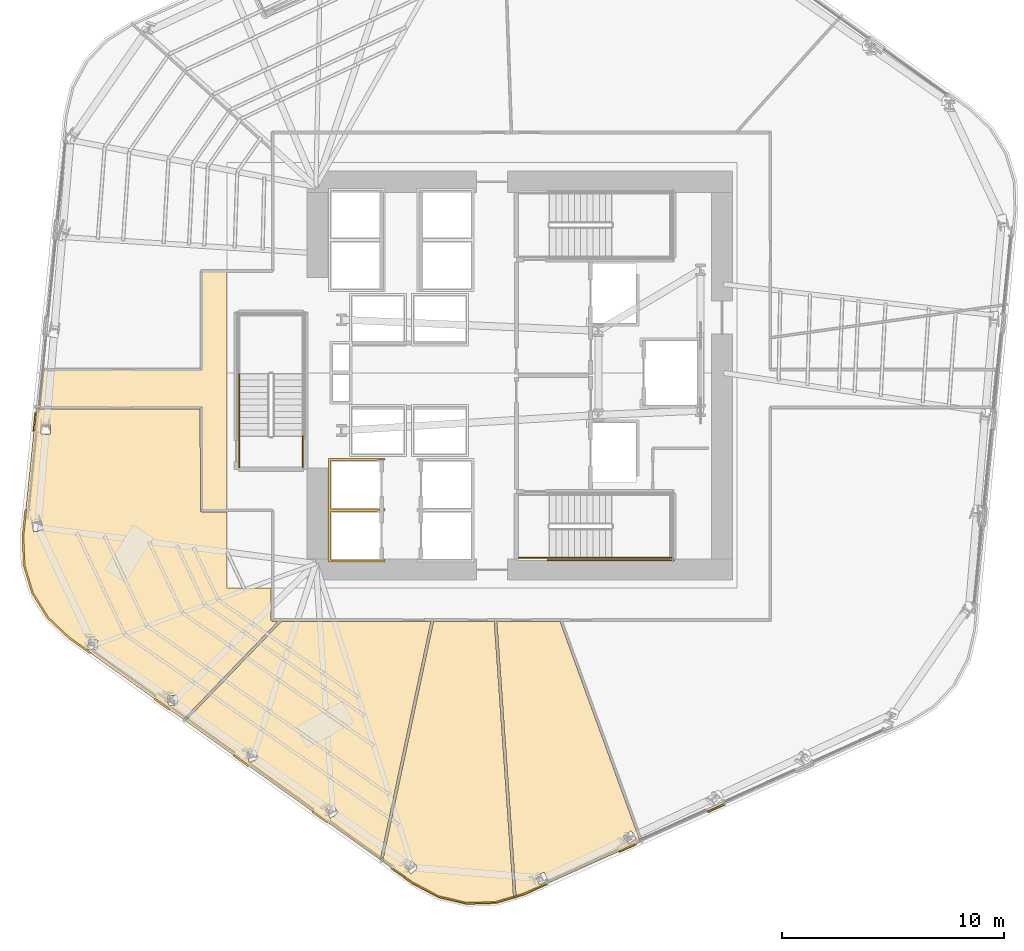
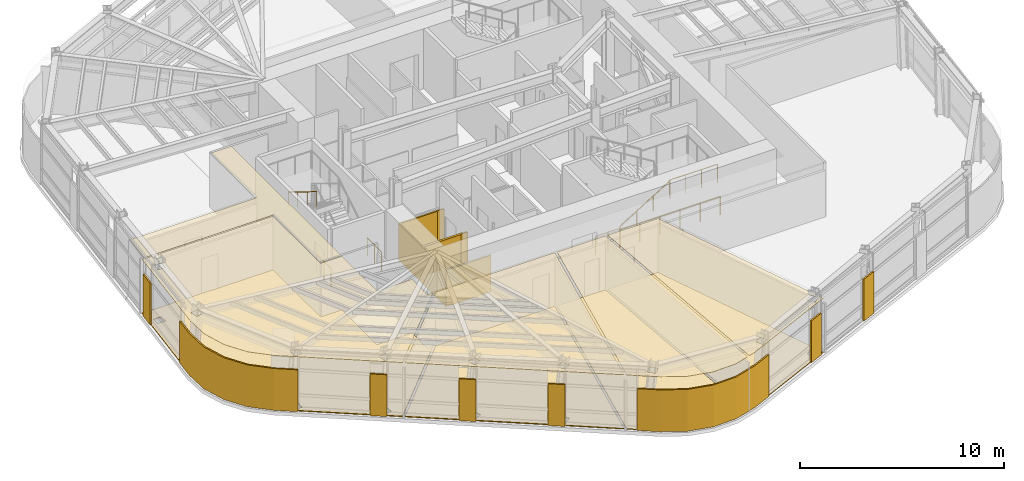
# One storey, part 11 of 16: 18 coverings, 7 railings.
"""IFC4 building model written with IfcOpenShell, lengths in metres."""

from ifc_helpers import new_model, si_unit, direction, frame, origin, origin_2d, place, context, subcontext, project, spatial, polyline, circle, outline, extrude, material, layer, layer_set, type_object, element, save


model = new_model("IFC4")

# Units and contexts
model_context = context("Model", 3, precision=1e-05, world=origin(), true_north=direction((0.0, 1.0)))
body_context = subcontext(model_context, "Body", "Model", "MODEL_VIEW")
ifc_project = project(units=[si_unit("LENGTHUNIT", "METRE"), si_unit("AREAUNIT", "SQUARE_METRE"), si_unit("VOLUMEUNIT", "CUBIC_METRE"), si_unit("PLANEANGLEUNIT", "RADIAN"), si_unit("MASSUNIT", "GRAM", prefix="KILO")], contexts=[model_context])

# Site, building, storey
site_placement = place(None, origin())
site = spatial("IfcSite", under=ifc_project, at=site_placement, CompositionType="ELEMENT")
building_placement = place(site_placement, origin())
building = spatial("IfcBuilding", under=site, at=building_placement, Name="Valkerne Bourse Tower", CompositionType="ELEMENT")
storey_placement = place(building_placement, frame((0.0, 0.0, 127.60009765625)))
storey = spatial("IfcBuildingStorey", under=building, at=storey_placement, Name="L32", CompositionType="ELEMENT", Elevation=127.60009765625)

# Coverings
ifc_material_1 = material(Name="Mineral Fiber Acoustic Ceiling Tile", Category="acoustic")
ifc_layer_1 = layer(ifc_material_1, 0.02490234375)
ifc_layer_set_1 = layer_set([ifc_layer_1], Name="Mineral Fiber Acoustic Ceiling Tile")
covering_type_1 = type_object("IfcCoveringType", Name="COV-CEIL-ACT", PredefinedType="CEILING", material=ifc_layer_set_1)
covering_1_placement = place(storey_placement, frame((0.0, 0.0, 3.22998046875)))
element("IfcCovering", 1, at=covering_1_placement, inside=storey, type_object=covering_type_1, Name="L32 Suspended Ceiling 03", PredefinedType="CEILING", context=body_context, shape_type="SweptSolid", body=[
    extrude(outline(polyline([(45.7666015625, 15.781005859375), (48.6201171875, 15.781005859375), (52.239013671875, 5.83837890625), (47.002685546875, 3.494384765625), (46.6337890625, 3.3828125), (45.7666015625, 15.781005859375)]), holes=[polyline([(47.69677734375, 3.902099609375), (48.081787109375, 4.0947265625), (47.896484375, 4.468017578125), (47.893310546875, 4.4677734375), (47.50830078125, 4.275146484375), (47.693359375, 3.90185546875), (47.69677734375, 3.902099609375)]), polyline([(52.063720703125, 6.00732421875), (51.811767578125, 6.339111328125), (51.80859375, 6.33837890625), (51.46630859375, 6.07666015625), (51.718505859375, 5.7451171875), (51.721435546875, 5.74560546875), (52.063720703125, 6.00732421875)])]), origin(), (0.0, 0.0, 1.0), 0.02490234375),
])
covering_2_placement = place(storey_placement, frame((0.0, 0.0, 3.22998046875)))
element("IfcCovering", 2, at=covering_2_placement, inside=storey, type_object=covering_type_1, Name="L32 Suspended Ceiling 04", PredefinedType="CEILING", context=body_context, shape_type="SweptSolid", body=[
    extrude(outline(polyline([(43.126708984375, 3.3701171875), (41.955078125, 3.998046875), (40.609130859375, 4.958740234375), (42.909423828125, 15.781005859375), (45.6484375, 15.781005859375), (46.517822265625, 3.347900390625), (45.730224609375, 3.110107421875), (44.411376953125, 3.068603515625), (43.126708984375, 3.3701171875)]), holes=[polyline([(41.926513671875, 4.991943359375), (41.923095703125, 4.99267578125), (41.61279296875, 4.715576171875), (41.898193359375, 4.392822265625), (41.9013671875, 4.39208984375), (42.2119140625, 4.669189453125), (41.926513671875, 4.991943359375)])]), origin(), (0.0, 0.0, 1.0), 0.02490234375),
])
covering_3_placement = place(storey_placement, frame((0.0, 0.0, 3.22998046875)))
element("IfcCovering", 3, at=covering_3_placement, inside=storey, type_object=covering_type_1, Name="L32 Suspended Ceiling 05", PredefinedType="CEILING", context=body_context, shape_type="SweptSolid", body=[
    extrude(outline(polyline([(42.788818359375, 15.781005859375), (40.50439453125, 5.03369140625), (31.722412109375, 11.3017578125), (36.048095703125, 15.781005859375), (42.788818359375, 15.781005859375)]), holes=[polyline([(34.853515625, 9.98291015625), (34.85107421875, 9.984619140625), (34.457763671875, 9.847900390625), (34.597900390625, 9.440185546875), (34.600341796875, 9.4384765625), (34.99365234375, 9.5751953125), (34.853515625, 9.98291015625)]), polyline([(38.388916015625, 7.49365234375), (38.38623046875, 7.494873046875), (38.029052734375, 7.281005859375), (38.2490234375, 6.910400390625), (38.251708984375, 6.9091796875), (38.60888671875, 7.122802734375), (38.388916015625, 7.49365234375)])]), origin(), (0.0, 0.0, 1.0), 0.02490234375),
])
covering_4_placement = place(storey_placement, frame((0.0, 0.0, 3.22998046875)))
element("IfcCovering", 4, at=covering_4_placement, inside=storey, type_object=covering_type_1, Name="L32 Suspended Ceiling 06", PredefinedType="CEILING", context=body_context, shape_type="SweptSolid", body=[
    extrude(outline(polyline([(24.816650390625, 17.07421875), (24.435302734375, 18.33740234375), (24.3935546875, 19.66552734375), (24.98583984375, 25.41552734375), (25.064453125, 25.4208984375), (25.090087890625, 25.39111328125), (25.125732421875, 25.381103515625), (32.381103515625, 25.381103515625), (32.385009765625, 20.7763671875), (32.4091796875, 20.744140625), (32.449462890625, 20.73095703125), (33.60009765625, 20.73095703125), (33.60009765625, 17.300048828125), (35.5810546875, 17.300048828125), (35.5810546875, 15.845458984375), (35.598388671875, 15.803955078125), (35.633544921875, 15.78271484375), (35.884033203125, 15.781005859375), (31.625244140625, 11.37109375), (26.480712890625, 15.04296875), (25.511962890625, 15.95263671875), (24.816650390625, 17.07421875)]), holes=[polyline([(31.31298828125, 12.460693359375), (31.310791015625, 12.463134765625), (30.89794921875, 12.4091796875), (30.951904296875, 11.981689453125), (30.9541015625, 11.979248046875), (31.366943359375, 12.033203125), (31.31298828125, 12.460693359375)]), polyline([(27.761474609375, 14.93212890625), (27.759521484375, 14.934814453125), (27.343994140625, 14.95947265625), (27.31689453125, 14.529296875), (27.318603515625, 14.526611328125), (27.734130859375, 14.501953125), (27.761474609375, 14.93212890625)]), polyline([(25.291015625, 19.917724609375), (25.20751953125, 20.32421875), (25.206787109375, 20.327392578125), (24.783447265625, 20.240234375), (24.86669921875, 19.833740234375), (24.867919921875, 19.83056640625), (25.291015625, 19.917724609375)]), polyline([(25.62744140625, 24.65478515625), (25.626953125, 24.657958984375), (25.19482421875, 24.651611328125), (25.200439453125, 24.236572265625), (25.200927734375, 24.2333984375), (25.633056640625, 24.239501953125), (25.62744140625, 24.65478515625)])]), origin(), (0.0, 0.0, 1.0), 0.02490234375),
])
ifc_material_2 = material(Name="Bronze Anodised Aluminium AA 6063-T6", Category="aluminium")
ifc_layer_2 = layer(ifc_material_2, 0.030029296875)
ifc_layer_set_2 = layer_set([ifc_layer_2], Name="Bronze Anodised Aluminium AA 6063-T6")
covering_type_2 = type_object("IfcCoveringType", Name="COV-CEIL-METAL", PredefinedType="CEILING", material=ifc_layer_set_2)
covering_5_placement = place(storey_placement, frame((0.0, 0.0, 3.22998046875)))
element("IfcCovering", 5, at=covering_5_placement, inside=storey, type_object=covering_type_2, Name="L32 Suspended Ceiling 02", PredefinedType="CEILING", context=body_context, shape_type="SweptSolid", body=[
    extrude(outline(polyline([(32.4541015625, 20.803955078125), (32.4541015625, 25.4541015625), (25.130615234375, 25.4541015625), (25.304931640625, 27.14599609375), (32.4541015625, 27.14599609375), (32.4541015625, 31.595947265625), (33.60009765625, 31.595947265625), (33.60009765625, 20.803955078125), (32.4541015625, 20.803955078125)])), origin(), (0.0, 0.0, 1.0), 0.02490234375),
])
ifc_layer_3 = layer(ifc_material_2, 0.06005859375)
ifc_layer_set_3 = layer_set([ifc_layer_3], Name="Bronze Anodised Aluminium AA 6063-T6")
covering_type_3 = type_object("IfcCoveringType", Name="COV-CRN-ALUM", PredefinedType="CLADDING", material=ifc_layer_set_3)
covering_6_placement = place(storey_placement, origin())
element("IfcCovering", 6, at=covering_6_placement, inside=storey, type_object=covering_type_3, Name="L32 Wind-Shaped Corner Aluminium Cladding 11", PredefinedType="CLADDING", context=body_context, shape_type="SweptSolid", body=[
    extrude(outline(polyline([(55.297607421875, 7.159423828125), (55.2646484375, 7.232421875), (56.03125, 7.57568359375), (56.064208984375, 7.502685546875), (55.297607421875, 7.159423828125)])), origin(), (0.0, 0.0, 1.0), 2.5),
])
covering_7_placement = place(storey_placement, origin())
element("IfcCovering", 7, at=covering_7_placement, inside=storey, type_object=covering_type_3, Name="L32 Wind-Shaped Corner Aluminium Cladding 12", PredefinedType="CLADDING", context=body_context, shape_type="SweptSolid", body=[
    extrude(outline(polyline([(51.297119140625, 5.36865234375), (51.26416015625, 5.44140625), (52.03076171875, 5.78466796875), (52.063720703125, 5.7119140625), (51.297119140625, 5.36865234375)])), origin(), (0.0, 0.0, 1.0), 2.5),
])
covering_8_placement = place(storey_placement, origin())
element("IfcCovering", 8, at=covering_8_placement, inside=storey, type_object=covering_type_3, Name="L32 Wind-Shaped Corner Aluminium Cladding 13", PredefinedType="CLADDING", context=body_context, shape_type="SweptSolid", body=[
    extrude(outline(polyline([(47.018310546875, 3.452880859375), (45.7373046875, 3.066162109375), (44.406982421875, 3.0244140625), (43.111083984375, 3.32861328125), (41.931884765625, 3.960693359375), (40.999755859375, 4.6259765625), (41.04638671875, 4.69091796875), (41.97412109375, 4.02880859375), (43.139404296875, 3.40380859375), (44.414794921875, 3.104736328125), (45.724365234375, 3.14599609375), (46.990234375, 3.528076171875), (48.030517578125, 3.993896484375), (48.063232421875, 3.9208984375), (47.018310546875, 3.452880859375)])), origin(), (0.0, 0.0, 1.0), 2.5),
])
covering_9_placement = place(storey_placement, origin())
element("IfcCovering", 9, at=covering_9_placement, inside=storey, type_object=covering_type_3, Name="L32 Wind-Shaped Corner Aluminium Cladding 14", PredefinedType="CLADDING", context=body_context, shape_type="SweptSolid", body=[
    extrude(outline(polyline([(37.432373046875, 7.172119140625), (37.47900390625, 7.2373046875), (38.162841796875, 6.7490234375), (38.1162109375, 6.68408203125), (37.432373046875, 7.172119140625)])), origin(), (0.0, 0.0, 1.0), 2.5),
])
covering_10_placement = place(storey_placement, origin())
element("IfcCovering", 10, at=covering_10_placement, inside=storey, type_object=covering_type_3, Name="L32 Wind-Shaped Corner Aluminium Cladding 15", PredefinedType="CLADDING", context=body_context, shape_type="SweptSolid", body=[
    extrude(outline(polyline([(33.86474609375, 9.718505859375), (33.911376953125, 9.783447265625), (34.59521484375, 9.29541015625), (34.548583984375, 9.23046875), (33.86474609375, 9.718505859375)])), origin(), (0.0, 0.0, 1.0), 2.5),
])
covering_11_placement = place(storey_placement, origin())
element("IfcCovering", 11, at=covering_11_placement, inside=storey, type_object=covering_type_3, Name="L32 Wind-Shaped Corner Aluminium Cladding 16", PredefinedType="CLADDING", context=body_context, shape_type="SweptSolid", body=[
    extrude(outline(polyline([(30.29736328125, 12.264892578125), (30.343994140625, 12.329833984375), (31.027587890625, 11.841796875), (30.98095703125, 11.77685546875), (30.29736328125, 12.264892578125)])), origin(), (0.0, 0.0, 1.0), 2.5),
])
covering_12_placement = place(storey_placement, origin())
element("IfcCovering", 12, at=covering_12_placement, inside=storey, type_object=covering_type_3, Name="L32 Wind-Shaped Corner Aluminium Cladding 17", PredefinedType="CLADDING", context=body_context, shape_type="SweptSolid", body=[
    extrude(outline(polyline([(26.452880859375, 15.0087890625), (25.477783203125, 15.924560546875), (24.776123046875, 17.055908203125), (24.391357421875, 18.330078125), (24.349609375, 19.6669921875), (24.470458984375, 20.84130859375), (24.550048828125, 20.83349609375), (24.4296875, 19.664306640625), (24.47119140625, 18.34326171875), (24.849853515625, 17.089111328125), (25.5400390625, 15.9755859375), (26.503662109375, 15.07080078125), (27.460205078125, 14.38818359375), (27.41357421875, 14.322998046875), (26.452880859375, 15.0087890625)])), origin(), (0.0, 0.0, 1.0), 2.5),
])
covering_13_placement = place(storey_placement, origin())
element("IfcCovering", 13, at=covering_13_placement, inside=storey, type_object=covering_type_3, Name="L32 Wind-Shaped Corner Aluminium Cladding 18", PredefinedType="CLADDING", context=body_context, shape_type="SweptSolid", body=[
    extrude(outline(polyline([(24.919677734375, 25.201416015625), (24.999267578125, 25.193359375), (24.9130859375, 24.357666015625), (24.83349609375, 24.365478515625), (24.919677734375, 25.201416015625)])), origin(), (0.0, 0.0, 1.0), 2.5),
])
ifc_material_3 = material(Name="Galvanised Painted Steel", Category="steel")
ifc_layer_4 = layer(ifc_material_3, 0.044921875)
ifc_layer_set_4 = layer_set([ifc_layer_4], Name="Galvanised Painted Steel")
covering_type_4 = type_object("IfcCoveringType", Name="COV-FLR-RAF", PredefinedType="FLOORING", material=ifc_layer_set_4)
covering_14_placement = place(storey_placement, origin())
element("IfcCovering", 14, at=covering_14_placement, inside=storey, type_object=covering_type_4, Name="L32 Floor Finish 05", PredefinedType="FLOORING", context=body_context, shape_type="SweptSolid", body=[
    extrude(outline(polyline([(42.788818359375, 15.781005859375), (40.50439453125, 5.03369140625), (31.722412109375, 11.3017578125), (36.048095703125, 15.781005859375), (42.788818359375, 15.781005859375)]), holes=[polyline([(34.853515625, 9.98291015625), (34.85107421875, 9.984619140625), (34.457763671875, 9.847900390625), (34.597900390625, 9.440185546875), (34.600341796875, 9.4384765625), (34.99365234375, 9.5751953125), (34.853515625, 9.98291015625)]), polyline([(38.388916015625, 7.49365234375), (38.38623046875, 7.494873046875), (38.029052734375, 7.281005859375), (38.2490234375, 6.910400390625), (38.251708984375, 6.9091796875), (38.60888671875, 7.122802734375), (38.388916015625, 7.49365234375)])]), origin(), (0.0, 0.0, 1.0), 0.044921875),
])
covering_15_placement = place(storey_placement, origin())
element("IfcCovering", 15, at=covering_15_placement, inside=storey, type_object=covering_type_4, Name="L32 Floor Finish 06", PredefinedType="FLOORING", context=body_context, shape_type="SweptSolid", body=[
    extrude(outline(polyline([(24.816650390625, 17.07421875), (24.435302734375, 18.33740234375), (24.3935546875, 19.66552734375), (24.98583984375, 25.41552734375), (25.064453125, 25.4208984375), (25.090087890625, 25.39111328125), (25.125732421875, 25.381103515625), (32.381103515625, 25.381103515625), (32.385009765625, 20.7763671875), (32.4091796875, 20.744140625), (32.449462890625, 20.73095703125), (33.60009765625, 20.73095703125), (33.60009765625, 17.300048828125), (35.5810546875, 17.300048828125), (35.5810546875, 15.845458984375), (35.598388671875, 15.803955078125), (35.633544921875, 15.78271484375), (35.884033203125, 15.781005859375), (31.625244140625, 11.37109375), (26.480712890625, 15.04296875), (25.511962890625, 15.95263671875), (24.816650390625, 17.07421875)]), holes=[polyline([(31.31298828125, 12.460693359375), (31.310791015625, 12.463134765625), (30.89794921875, 12.4091796875), (30.951904296875, 11.981689453125), (30.9541015625, 11.979248046875), (31.366943359375, 12.033203125), (31.31298828125, 12.460693359375)]), polyline([(27.761474609375, 14.93212890625), (27.759521484375, 14.934814453125), (27.343994140625, 14.95947265625), (27.31689453125, 14.529296875), (27.318603515625, 14.526611328125), (27.734130859375, 14.501953125), (27.761474609375, 14.93212890625)]), polyline([(25.291015625, 19.917724609375), (25.20751953125, 20.32421875), (25.206787109375, 20.327392578125), (24.783447265625, 20.240234375), (24.86669921875, 19.833740234375), (24.867919921875, 19.83056640625), (25.291015625, 19.917724609375)]), polyline([(25.62744140625, 24.65478515625), (25.626953125, 24.657958984375), (25.19482421875, 24.651611328125), (25.200439453125, 24.236572265625), (25.200927734375, 24.2333984375), (25.633056640625, 24.239501953125), (25.62744140625, 24.65478515625)])]), origin(), (0.0, 0.0, 1.0), 0.044921875),
])
ifc_material_4 = material(Name="Polished Granite Stone", Category="masonry")
ifc_layer_5 = layer(ifc_material_4, 0.030029296875)
ifc_layer_set_5 = layer_set([ifc_layer_5], Name="Polished Granite Stone")
covering_type_5 = type_object("IfcCoveringType", Name="COV-FLR-TERRAZZO", PredefinedType="FLOORING", material=ifc_layer_set_5)
covering_16_placement = place(storey_placement, origin())
element("IfcCovering", 16, at=covering_16_placement, inside=storey, type_object=covering_type_5, Name="L32 Floor Finish 03", PredefinedType="FLOORING", context=body_context, shape_type="SweptSolid", body=[
    extrude(outline(polyline([(45.7666015625, 15.781005859375), (48.6201171875, 15.781005859375), (52.239013671875, 5.83837890625), (47.002685546875, 3.494384765625), (46.6337890625, 3.3828125), (45.7666015625, 15.781005859375)]), holes=[polyline([(47.69677734375, 3.902099609375), (48.081787109375, 4.0947265625), (47.896484375, 4.468017578125), (47.893310546875, 4.4677734375), (47.50830078125, 4.275146484375), (47.693359375, 3.90185546875), (47.69677734375, 3.902099609375)]), polyline([(52.063720703125, 6.00732421875), (51.811767578125, 6.339111328125), (51.80859375, 6.33837890625), (51.46630859375, 6.07666015625), (51.718505859375, 5.7451171875), (51.721435546875, 5.74560546875), (52.063720703125, 6.00732421875)])]), origin(), (0.0, 0.0, 1.0), 0.02978515625),
])
covering_17_placement = place(storey_placement, origin())
element("IfcCovering", 17, at=covering_17_placement, inside=storey, type_object=covering_type_5, Name="L32 Floor Finish 04", PredefinedType="FLOORING", context=body_context, shape_type="SweptSolid", body=[
    extrude(outline(polyline([(43.126708984375, 3.3701171875), (41.955078125, 3.998046875), (40.609130859375, 4.958740234375), (42.909423828125, 15.781005859375), (45.6484375, 15.781005859375), (46.517822265625, 3.347900390625), (45.730224609375, 3.110107421875), (44.411376953125, 3.068603515625), (43.126708984375, 3.3701171875)]), holes=[polyline([(41.926513671875, 4.991943359375), (41.923095703125, 4.99267578125), (41.61279296875, 4.715576171875), (41.898193359375, 4.392822265625), (41.9013671875, 4.39208984375), (42.2119140625, 4.669189453125), (41.926513671875, 4.991943359375)])]), origin(), (0.0, 0.0, 1.0), 0.02978515625),
])
ifc_material_5 = material(Name="Gypsum Shaftwall Liner Board", Category="gypsum")
ifc_layer_6 = layer(ifc_material_5, 0.080078125)
ifc_layer_set_6 = layer_set([ifc_layer_6], Name="Gypsum Shaftwall Liner Board")
covering_type_6 = type_object("IfcCoveringType", Name="COV-SHF-CLAD", PredefinedType="CLADDING", material=ifc_layer_set_6)
covering_18_placement = place(storey_placement, origin())
element("IfcCovering", 18, at=covering_18_placement, inside=storey, type_object=covering_type_6, Name="L32 Hoistway & Riser Shaftwall Liner 01", PredefinedType="CLADDING", context=body_context, shape_type="SweptSolid", body=[
    extrude(outline(polyline([(38.169921875, 23.1298828125), (40.72998046875, 23.1298828125), (40.72998046875, 23.052001953125), (40.72216796875, 23.0556640625), (40.6806640625, 23.070556640625), (40.6376953125, 23.081298828125), (40.593994140625, 23.087890625), (40.550048828125, 23.090087890625), (40.505859375, 23.087890625), (40.462158203125, 23.081298828125), (40.41943359375, 23.070556640625), (40.377685546875, 23.0556640625), (40.344482421875, 23.0400390625), (38.260009765625, 23.0400390625), (38.260009765625, 20.860107421875), (40.456787109375, 20.860107421875), (40.462158203125, 20.858642578125), (40.505859375, 20.852294921875), (40.550048828125, 20.85009765625), (40.593994140625, 20.852294921875), (40.6376953125, 20.858642578125), (40.6806640625, 20.869384765625), (40.72216796875, 20.88427734375), (40.72998046875, 20.887939453125), (40.72998046875, 20.830078125), (40.72998046875, 20.77001953125), (40.72998046875, 20.752197265625), (40.72216796875, 20.755615234375), (40.6806640625, 20.7705078125), (40.6376953125, 20.781494140625), (40.593994140625, 20.787841796875), (40.550048828125, 20.7900390625), (40.505859375, 20.787841796875), (40.462158203125, 20.781494140625), (40.41943359375, 20.7705078125), (40.377685546875, 20.755615234375), (40.344482421875, 20.739990234375), (38.260009765625, 20.739990234375), (38.260009765625, 18.56005859375), (40.456787109375, 18.56005859375), (40.462158203125, 18.55859375), (40.505859375, 18.55224609375), (40.550048828125, 18.550048828125), (40.593994140625, 18.55224609375), (40.6376953125, 18.55859375), (40.6806640625, 18.5693359375), (40.72216796875, 18.584228515625), (40.72998046875, 18.587890625), (40.72998046875, 18.469970703125), (38.169921875, 18.469970703125), (38.169921875, 20.77001953125), (38.169921875, 20.830078125), (38.169921875, 23.1298828125)])), origin(), (0.0, 0.0, 1.0), 2.179931640625),
])

# Railings
railing_type_1 = type_object("IfcRailingType", Name="RLG-ST-GUARD-1120", PredefinedType="GUARDRAIL", material=ifc_material_3)
railing_1_placement = place(storey_placement, frame((50.949951171875, 18.64990234375, 1.89990234375)))
element("IfcRailing", 19, at=railing_1_placement, inside=storey, type_object=railing_type_1, Name="L32 ST-1 stair guard 3", PredefinedType="GUARDRAIL", context=body_context, shape_type="SweptSolid", body=[
    extrude(circle(Radius=0.02392578125, at=origin_2d()), frame((0.0, 0.0, 1.09619140625), z_axis=(1.0, 0.0, 0.0), x_axis=(0.0, 1.0, 0.0)), (0.0, 0.0, 1.0), 2.699951171875),
    extrude(circle(Radius=0.02099609375, at=origin_2d()), origin(), (0.0, 0.0, 1.0), 1.072021484375),
    extrude(circle(Radius=0.02099609375, at=origin_2d()), frame((0.89990234375, 0.0, 0.0)), (0.0, 0.0, 1.0), 1.072021484375),
    extrude(circle(Radius=0.02099609375, at=origin_2d()), frame((1.800048828125, 0.0, 0.0)), (0.0, 0.0, 1.0), 1.072021484375),
    extrude(circle(Radius=0.02099609375, at=origin_2d()), frame((2.699951171875, 0.0, 0.0)), (0.0, 0.0, 1.0), 1.072021484375),
])
railing_2_placement = place(storey_placement, frame((46.75, 18.64990234375, 0.0)))
element("IfcRailing", 20, at=railing_2_placement, inside=storey, type_object=railing_type_1, Name="L32 ST-1 stair guard 8", PredefinedType="GUARDRAIL", context=body_context, shape_type="SweptSolid", body=[
    extrude(circle(Radius=0.02392578125, at=origin_2d()), frame((0.0, 0.0, 1.09619140625), z_axis=(1.0, 0.0, 0.0), x_axis=(0.0, 1.0, 0.0)), (0.0, 0.0, 1.0), 1.39990234375),
    extrude(circle(Radius=0.02099609375, at=origin_2d()), origin(), (0.0, 0.0, 1.0), 1.072021484375),
    extrude(circle(Radius=0.02099609375, at=origin_2d()), frame((0.699951171875, 0.0, 0.0)), (0.0, 0.0, 1.0), 1.072021484375),
    extrude(circle(Radius=0.02099609375, at=origin_2d()), frame((1.39990234375, 0.0, 0.0)), (0.0, 0.0, 1.0), 1.072021484375),
])
railing_3_placement = place(storey_placement, frame((48.050048828125, 18.550048828125, 0.0)))
element("IfcRailing", 21, at=railing_3_placement, inside=storey, type_object=railing_type_1, Name="L32 ST-1 stair guard 10", PredefinedType="GUARDRAIL", context=body_context, shape_type="SweptSolid", body=[
    extrude(circle(Radius=0.02392578125, at=origin_2d()), frame((0.0, 0.0, 1.09619140625), z_axis=(1.0, 0.0, 0.0), x_axis=(0.0, 1.0, 0.0)), (0.0, 0.0, 1.0), 5.699951171875),
    extrude(circle(Radius=0.02099609375, at=origin_2d()), origin(), (0.0, 0.0, 1.0), 1.072021484375),
    extrude(circle(Radius=0.02099609375, at=origin_2d()), frame((1.139892578125, 0.0, 0.0)), (0.0, 0.0, 1.0), 1.072021484375),
    extrude(circle(Radius=0.02099609375, at=origin_2d()), frame((2.280029296875, 0.0, 0.0)), (0.0, 0.0, 1.0), 1.072021484375),
    extrude(circle(Radius=0.02099609375, at=origin_2d()), frame((3.419921875, 0.0, 0.0)), (0.0, 0.0, 1.0), 1.072021484375),
    extrude(circle(Radius=0.02099609375, at=origin_2d()), frame((4.56005859375, 0.0, 0.0)), (0.0, 0.0, 1.0), 1.072021484375),
    extrude(circle(Radius=0.02099609375, at=origin_2d()), frame((5.699951171875, 0.0, 0.0)), (0.0, 0.0, 1.0), 1.072021484375),
])
for number, where, name in (
    (22, (37.0, 22.75, 0.0), "L32 ST-3 stair guard 8"),
    (23, (34.14990234375, 22.75, 0.0), "L32 ST-3 stair guard 9"),
):
    element("IfcRailing", number, at=place(storey_placement, frame(where)), inside=storey, type_object=railing_type_1, Name=name, PredefinedType="GUARDRAIL", context=body_context, shape_type="SweptSolid", body=[
        extrude(circle(Radius=0.02392578125, at=origin_2d()), frame((0.0, 0.0, 1.09619140625), z_axis=(0.0, 1.0, 0.0), x_axis=(-1.0, 0.0, 0.0)), (0.0, 0.0, 1.0), 1.39990234375),
        extrude(circle(Radius=0.02099609375, at=origin_2d()), origin(), (0.0, 0.0, 1.0), 1.072021484375),
        extrude(circle(Radius=0.02099609375, at=origin_2d()), frame((0.0, 0.699951171875, 0.0)), (0.0, 0.0, 1.0), 1.072021484375),
        extrude(circle(Radius=0.02099609375, at=origin_2d()), frame((0.0, 1.39990234375, 0.0)), (0.0, 0.0, 1.0), 1.072021484375),
    ])
ifc_material_6 = material(Name="Stainless Steel AISI 316", Category="steel")
railing_type_2 = type_object("IfcRailingType", Name="RLG-ST-HANDRAIL-900", PredefinedType="HANDRAIL", material=ifc_material_6)
railing_4_placement = place(storey_placement, frame((48.14990234375, 18.64990234375, 0.345458984375)))
element("IfcRailing", 24, at=railing_4_placement, inside=storey, type_object=railing_type_2, Name="L32 ST-1 stair handrail 1", PredefinedType="HANDRAIL", context=body_context, shape_type="SweptSolid", body=[
    extrude(circle(Radius=0.02392578125, at=origin_2d()), frame((0.0, 0.0, 0.8759765625), z_axis=(0.851122791225, 0.0, 0.524966660138), x_axis=(0.0, 1.0, 0.0)), (0.0, 0.0, 1.0), 3.289794921875),
    extrude(circle(Radius=0.02099609375, at=origin_2d()), origin(), (0.0, 0.0, 1.0), 0.851806640625),
    extrude(circle(Radius=0.02099609375, at=origin_2d()), frame((0.933349609375, 0.0, 0.57568359375)), (0.0, 0.0, 1.0), 0.851806640625),
    extrude(circle(Radius=0.02099609375, at=origin_2d()), frame((1.86669921875, 0.0, 1.1513671875)), (0.0, 0.0, 1.0), 0.851806640625),
    extrude(circle(Radius=0.02099609375, at=origin_2d()), frame((2.800048828125, 0.0, 1.72705078125)), (0.0, 0.0, 1.0), 0.851806640625),
])
railing_5_placement = place(storey_placement, frame((34.14990234375, 26.949951171875, 2.245361328125)))
element("IfcRailing", 25, at=railing_5_placement, inside=storey, type_object=railing_type_2, Name="L32 ST-3 stair handrail 2", PredefinedType="HANDRAIL", context=body_context, shape_type="SweptSolid", body=[
    extrude(circle(Radius=0.02392578125, at=origin_2d()), frame((0.0, 0.0, 0.8759765625), z_axis=(0.0, -0.851089632645, 0.525020415988), x_axis=(1.0, 0.0, 0.0)), (0.0, 0.0, 1.0), 3.2900390625),
    extrude(circle(Radius=0.02099609375, at=origin_2d()), origin(), (0.0, 0.0, 1.0), 0.851806640625),
    extrude(circle(Radius=0.02099609375, at=origin_2d()), frame((0.0, -0.933349609375, 0.57568359375)), (0.0, 0.0, 1.0), 0.851806640625),
    extrude(circle(Radius=0.02099609375, at=origin_2d()), frame((0.0, -1.86669921875, 1.151611328125)), (0.0, 0.0, 1.0), 0.851806640625),
    extrude(circle(Radius=0.02099609375, at=origin_2d()), frame((0.0, -2.800048828125, 1.727294921875)), (0.0, 0.0, 1.0), 0.851806640625),
])

save(model, "model.ifc")
